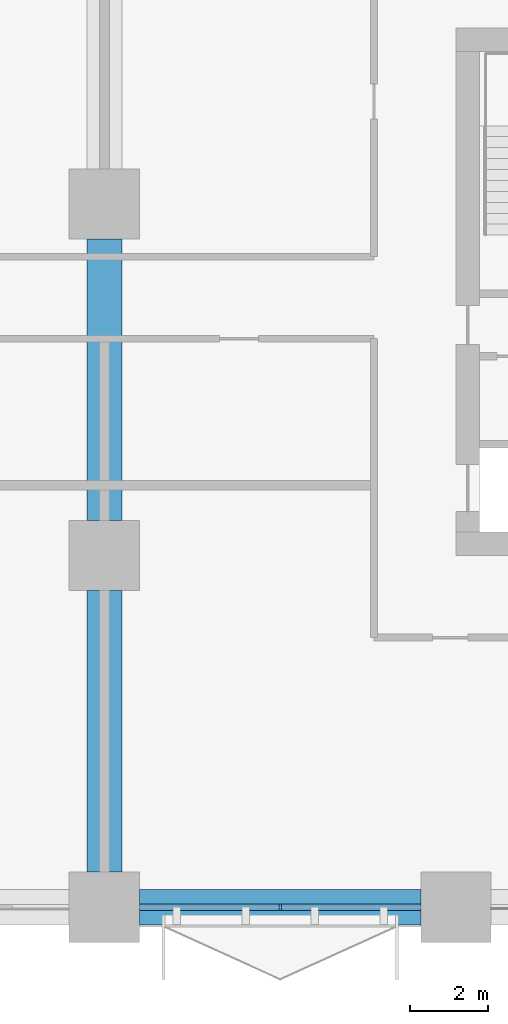
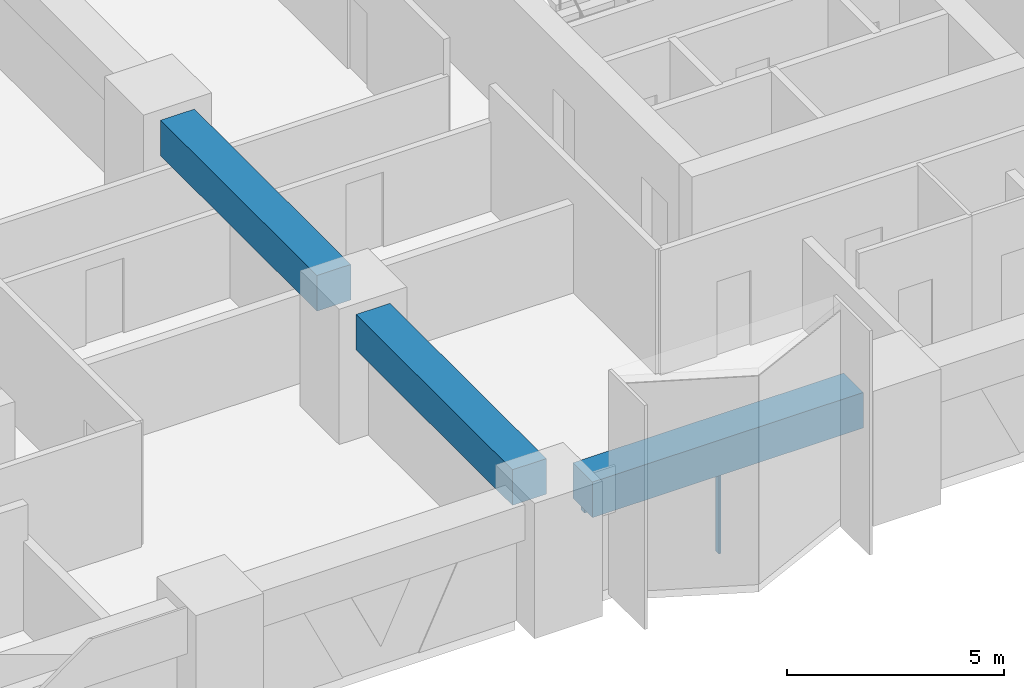
# One storey, part 3 of 22: 3 beams, 2 members, 1 element without a shape of its own.
"""IFC4 building model written with IfcOpenShell, lengths in metres."""

import ifcopenshell
import ifcopenshell.guid

model = None  # the IFC model being written
_history = None  # IfcOwnerHistory: only IFC2X3 demands one
_inside = {}  # id of a spatial element -> (the spatial element, [elements in it])
_under = {}  # id of a project, library or spatial element -> (it, [spatial elements below it])
_declared = {}  # id of a project -> (the project, [libraries it declares])
_typed = {}  # id of a type object -> (the type object, [elements of that type])
_made_of = {}  # id of a material, layer set ... -> (it, [elements and type objects made of it])


def new_model(schema):
    """Start an empty IFC model of exactly this schema.

    Asked for "IFC4X3", IfcOpenShell would pick the latest addendum, in which some entities
    have other attributes; the version numbers below select the first issue.
    IFC2X3 requires an IfcOwnerHistory on every rooted entity: one is made here for all.
    """
    global model, _history
    if schema == "IFC4X3":
        model = ifcopenshell.file(schema_version=(4, 3, 0, 0))
    else:
        model = ifcopenshell.file(schema=schema)
    _inside.clear()
    _under.clear()
    _declared.clear()
    _typed.clear()
    _made_of.clear()
    _history = None
    if model.schema == "IFC2X3":
        org = make("IfcOrganization", Name="unknown")
        user = make(
            "IfcPersonAndOrganization",
            ThePerson=make("IfcPerson", FamilyName="unknown"),
            TheOrganization=org,
        )
        app = make(
            "IfcApplication",
            ApplicationDeveloper=org,
            Version="unknown",
            ApplicationFullName="unknown",
            ApplicationIdentifier="unknown",
        )
        _history = make(
            "IfcOwnerHistory",
            OwningUser=user,
            OwningApplication=app,
            ChangeAction="ADDED",
            CreationDate=0,
        )
    return model


def make(cls, **values):
    """One entity of the class cls with the attributes given. An attribute that is None is left unset."""
    return model.create_entity(
        cls, **{name: value for name, value in values.items() if value is not None}
    )


def rooted(cls, **values):
    """An entity with a GlobalId (a new one), such as an element, a storey or a relation."""
    return make(cls, GlobalId=ifcopenshell.guid.new(), OwnerHistory=_history, **values)


def si_unit(unit_type, name, prefix=None):
    """IfcSIUnit, for example si_unit("LENGTHUNIT", "METRE", prefix="MILLI")."""
    return make("IfcSIUnit", UnitType=unit_type, Prefix=prefix, Name=name)


def assignment(units):
    """IfcUnitAssignment: the units of a project."""
    return None if units is None else make("IfcUnitAssignment", Units=units)


def point(xyz):
    """IfcCartesianPoint."""
    return None if xyz is None else make("IfcCartesianPoint", Coordinates=xyz)


def direction(xyz):
    """IfcDirection."""
    return None if xyz is None else make("IfcDirection", DirectionRatios=xyz)


def frame(location, z_axis=None, x_axis=None):
    """IfcAxis2Placement3D, a coordinate frame: its origin and axes. An axis left out is left unset."""
    return make(
        "IfcAxis2Placement3D",
        Location=point(location),
        Axis=direction(z_axis),
        RefDirection=direction(x_axis),
    )


def frame_2d(location, x_axis=None):
    """IfcAxis2Placement2D, a coordinate frame in the plane: its origin and x axis."""
    return make(
        "IfcAxis2Placement2D", Location=point(location), RefDirection=direction(x_axis)
    )


def origin():
    """The frame at (0, 0, 0) with its axes left unset."""
    return frame((0.0, 0.0, 0.0))


def origin_2d():
    """The frame at (0, 0) in the plane with its x axis left unset."""
    return frame_2d((0.0, 0.0))


def place(relative_to, where):
    """IfcLocalPlacement: puts the frame where relative to a parent placement (None: the world)."""
    return make(
        "IfcLocalPlacement", PlacementRelTo=relative_to, RelativePlacement=where
    )


def context(
    kind, dimensions, precision=None, world=None, true_north=None, identifier=None
):
    """IfcGeometricRepresentationContext, for example the 3D "Model" context."""
    return make(
        "IfcGeometricRepresentationContext",
        ContextIdentifier=identifier,
        ContextType=kind,
        CoordinateSpaceDimension=dimensions,
        Precision=precision,
        WorldCoordinateSystem=world,
        TrueNorth=true_north,
    )


def subcontext(parent, identifier, kind, view, scale=None):
    """IfcGeometricRepresentationSubContext, for example "Body" below "Model"."""
    return make(
        "IfcGeometricRepresentationSubContext",
        ContextIdentifier=identifier,
        ContextType=kind,
        ParentContext=parent,
        TargetScale=scale,
        TargetView=view,
    )


def project(units=None, contexts=None):
    """IfcProject with its units and contexts."""
    return rooted(
        "IfcProject",
        Name="project",
        RepresentationContexts=contexts,
        UnitsInContext=assignment(units),
    )


def spatial(cls, under=None, at=None, **own):
    """A site, building, storey or space (cls), placed at a placement, below another one or the project."""
    s = rooted(cls, ObjectPlacement=at, **own)
    if under is not None:
        _under.setdefault(under.id(), (under, []))[1].append(s)
    return s


def profile(cls, at=None, kind="AREA", **sizes):
    """A parametric profile (cls). Its sizes go by their IFC names, for example OverallWidth=200.0."""
    return make(cls, ProfileType=kind, Position=at, **sizes)


def rectangle(**sizes):
    """IfcRectangleProfileDef."""
    return profile("IfcRectangleProfileDef", **sizes)


def extrude(swept, where, along, depth):
    """IfcExtrudedAreaSolid: the profile swept, set in the frame where, extruded along a direction by depth."""
    return make(
        "IfcExtrudedAreaSolid",
        SweptArea=swept,
        Position=where,
        ExtrudedDirection=direction(along),
        Depth=depth,
    )


def shape(context_of_items, identifier, shape_type, items):
    """IfcShapeRepresentation: the items that make up one representation, for example the "Body"."""
    return make(
        "IfcShapeRepresentation",
        ContextOfItems=context_of_items,
        RepresentationIdentifier=identifier,
        RepresentationType=shape_type,
        Items=items,
    )


def material(Name=None, Category=None):
    """IfcMaterial."""
    return make("IfcMaterial", Name=Name, Category=Category)


def material_profile(
    of_material, cross_section, Name=None, Category=None, Priority=None
):
    """IfcMaterialProfile: a cross section and its material."""
    return make(
        "IfcMaterialProfile",
        Name=Name,
        Material=of_material,
        Profile=cross_section,
        Priority=Priority,
        Category=Category,
    )


def profile_set(profiles, Name=None, composite=None):
    """IfcMaterialProfileSet."""
    return make(
        "IfcMaterialProfileSet",
        Name=Name,
        MaterialProfiles=profiles,
        CompositeProfile=composite,
    )


def made_of(thing, what):
    """Note that an element or type object is made of a material, layer set ...; save() writes the relation."""
    if what is not None:
        _made_of.setdefault(what.id(), (what, []))[1].append(thing)
    return thing


def type_object(cls, material=None, **own):
    """A type object (cls), such as IfcWallType, which elements share."""
    return made_of(rooted(cls, **own), material)


def element(
    cls,
    number,
    at=None,
    inside=None,
    cuts=None,
    type_object=None,
    material=None,
    context=None,
    identifier="Body",
    shape_type=None,
    held_by="IfcProductDefinitionShape",
    body=None,
    shapes=None,
    **own,
):
    """One element of the class cls, such as IfcWall. Its Tag is "e" and its number.

    at: its placement. inside: the storey or other place that contains it. cuts: it is an
    opening in that element (IfcRelVoidsElement). A single representation is given by context,
    identifier, shape_type and body (its items); several are given by shapes. held_by: the class
    of the entity that holds the representations. save() writes the other relations.
    """
    e = rooted(cls, Tag="e%d" % number, ObjectPlacement=at, **own)
    if body is not None:
        shapes = [shape(context, identifier, shape_type, body)]
    if shapes is not None:
        e.Representation = make(held_by, Representations=shapes)
    if inside is not None:
        _inside.setdefault(inside.id(), (inside, []))[1].append(e)
    if cuts is not None:
        rooted(
            "IfcRelVoidsElement", RelatingBuildingElement=cuts, RelatedOpeningElement=e
        )
    if type_object is not None:
        _typed.setdefault(type_object.id(), (type_object, []))[1].append(e)
    return made_of(e, material)


def aggregate(whole, parts):
    """IfcRelAggregates: a whole, such as a stair, and the parts it consists of."""
    return rooted("IfcRelAggregates", RelatingObject=whole, RelatedObjects=parts)


def save(model, path):
    """Write the relations noted so far, then the file.

    IfcRelAggregates (storeys below a building ...), IfcRelContainedInSpatialStructure (elements
    in a storey), IfcRelDefinesByType, IfcRelAssociatesMaterial and IfcRelDeclares: one each for
    every whole, place, type object, material and project.
    """
    for whole, parts in _under.values():
        aggregate(whole, parts)
    for where, things in _inside.values():
        rooted(
            "IfcRelContainedInSpatialStructure",
            RelatedElements=things,
            RelatingStructure=where,
        )
    for kind, things in _typed.values():
        rooted("IfcRelDefinesByType", RelatedObjects=things, RelatingType=kind)
    for what, things in _made_of.values():
        rooted("IfcRelAssociatesMaterial", RelatedObjects=things, RelatingMaterial=what)
    for by, libraries in _declared.values():
        rooted("IfcRelDeclares", RelatingContext=by, RelatedDefinitions=libraries)
    model.write(path)


model = new_model("IFC4")

# Units and contexts
model_context = context("Model", 3, precision=1e-05, world=origin(), true_north=direction((0.0, 1.0)))
body_context = subcontext(model_context, "Body", "Model", "MODEL_VIEW")
ifc_project = project(units=[si_unit("LENGTHUNIT", "METRE"), si_unit("AREAUNIT", "SQUARE_METRE"), si_unit("VOLUMEUNIT", "CUBIC_METRE"), si_unit("PLANEANGLEUNIT", "RADIAN"), si_unit("MASSUNIT", "GRAM", prefix="KILO")], contexts=[model_context])

# Site, building, storey
site_placement = place(None, origin())
site = spatial("IfcSite", under=ifc_project, at=site_placement, CompositionType="ELEMENT")
building_placement = place(site_placement, origin())
building = spatial("IfcBuilding", under=site, at=building_placement, Name="Tessera Arch", CompositionType="ELEMENT")
storey_placement = place(building_placement, frame((0.0, 0.0, 53.800048828125)))
storey = spatial("IfcBuildingStorey", under=building, at=storey_placement, Name="L11", CompositionType="ELEMENT", Elevation=53.800048828125)

# Curtain wall, members
ifc_material_1 = material(Name="CW1 curtain wall")
curtain_wall_type = type_object("IfcCurtainWallType", Name="CW1 curtain wall", PredefinedType="NOTDEFINED", material=ifc_material_1)
curtain_wall_placement = place(storey_placement, origin())
curtain_wall = element("IfcCurtainWall", 1, at=curtain_wall_placement, inside=storey, type_object=curtain_wall_type, Name="CW1 curtain wall S0.0/2 L11", PredefinedType="NOTDEFINED")
ifc_material_2 = material(Name="Anodised aluminium pale metal", Category="aluminium")
ifc_material_profile_1 = material_profile(ifc_material_2, rectangle(XDim=0.159912109375, YDim=0.06005859375, at=origin_2d()), Name="AL 60x160")
ifc_profile_set_1 = profile_set([ifc_material_profile_1], Name="Anodised aluminium pale metal")
member_type_1 = type_object("IfcMemberType", Name="CW1 mullion", PredefinedType="MULLION", material=ifc_profile_set_1)
member_1_placement = place(storey_placement, frame((31.5, 0.0, 0.0), z_axis=(0.0, 0.0, 1.0), x_axis=(0.0, 1.0, 0.0)))
member_1 = element("IfcMember", 2, at=member_1_placement, type_object=member_type_1, Name="CW1 mullion S0.0/2 1", PredefinedType="MULLION", context=body_context, shape_type="SweptSolid", body=[
    extrude(rectangle(XDim=0.159912109375, YDim=0.06005859375, at=origin_2d()), origin(), (0.0, 0.0, 1.0), 2.39990234375),
])
ifc_material_3 = material(Name="Anodised aluminium pale metal", Category="aluminium")
ifc_material_profile_2 = material_profile(ifc_material_3, rectangle(XDim=0.159912109375, YDim=0.10009765625, at=origin_2d()), Name="AL 160x100")
ifc_profile_set_2 = profile_set([ifc_material_profile_2], Name="Anodised aluminium pale metal")
member_type_2 = type_object("IfcMemberType", Name="CW1 transom", PredefinedType="USERDEFINED", material=ifc_profile_set_2)
member_2_placement = place(storey_placement, frame((27.89990234375, 0.0, 2.449951171875), z_axis=(1.0, 0.0, 0.0), x_axis=(0.0, 1.0, 0.0)))
member_2 = element("IfcMember", 3, at=member_2_placement, type_object=member_type_2, Name="CW1 transom S0.0/2 1.1", ObjectType="TRANSOM", PredefinedType="USERDEFINED", context=body_context, shape_type="SweptSolid", body=[
    extrude(rectangle(XDim=0.159912109375, YDim=0.10009765625, at=origin_2d()), origin(), (0.0, 0.0, 1.0), 7.2001953125),
])
aggregate(curtain_wall, [member_1, member_2])

# Beams
ifc_material_4 = material(Name="Concrete C80/95", Category="concrete")
ifc_material_profile_3 = material_profile(ifc_material_4, rectangle(XDim=0.89990234375, YDim=1.0, at=origin_2d()), Name="RC spandrel beam 900 x 1000 Concrete C80/95")
ifc_profile_set_3 = profile_set([ifc_material_profile_3], Name="Concrete C80/95")
beam_type = type_object("IfcBeamType", Name="RC spandrel beam 900 x 1000 Concrete C80/95", PredefinedType="BEAM", material=ifc_profile_set_3)
for number, where, z_axis, x_axis, name in (
    (4, (27.89990234375, 0.0, 3.0), (1.0, 0.0, 0.0), (0.0, 1.0, 0.0), "Spandrel beam L11 S0.0/2"),
    (5, (27.0, 0.89990234375, 3.0), (0.0, 1.0, 0.0), (-1.0, 0.0, 0.0), "Interface beam L11 I0C4A-C4B"),
    (6, (27.0, 9.89990234375, 3.0), (0.0, 1.0, 0.0), (-1.0, 0.0, 0.0), "Interface beam L11 I0C4B-C4C"),
):
    element("IfcBeam", number, at=place(storey_placement, frame(where, z_axis=z_axis, x_axis=x_axis)), inside=storey, type_object=beam_type, Name=name, PredefinedType="BEAM", context=body_context, shape_type="SweptSolid", body=[
        extrude(rectangle(XDim=0.89990234375, YDim=1.0, at=origin_2d()), origin(), (0.0, 0.0, 1.0), 7.2001953125),
    ])

save(model, "model.ifc")
